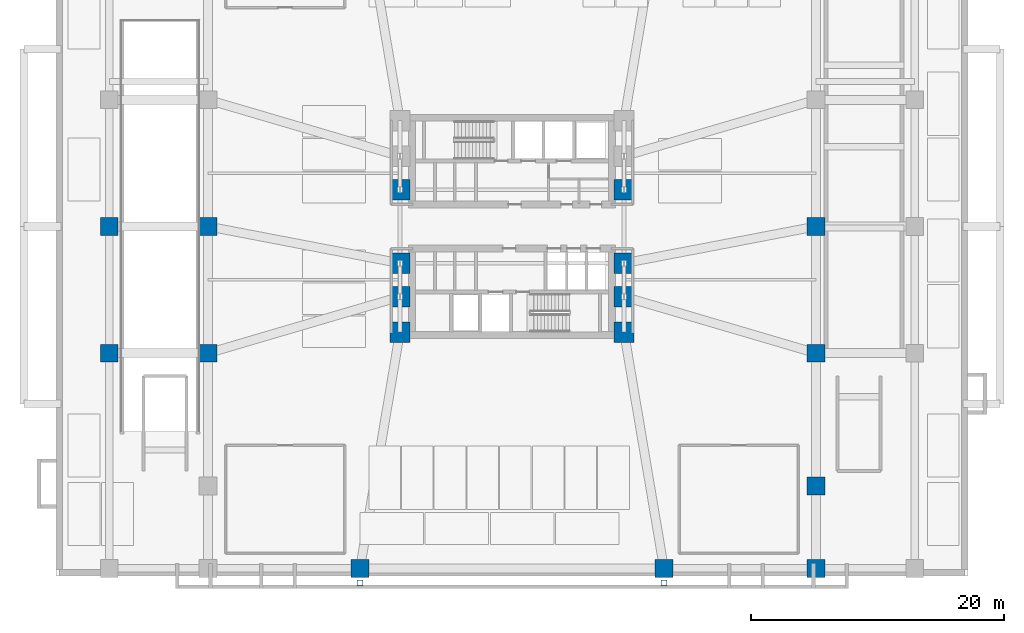
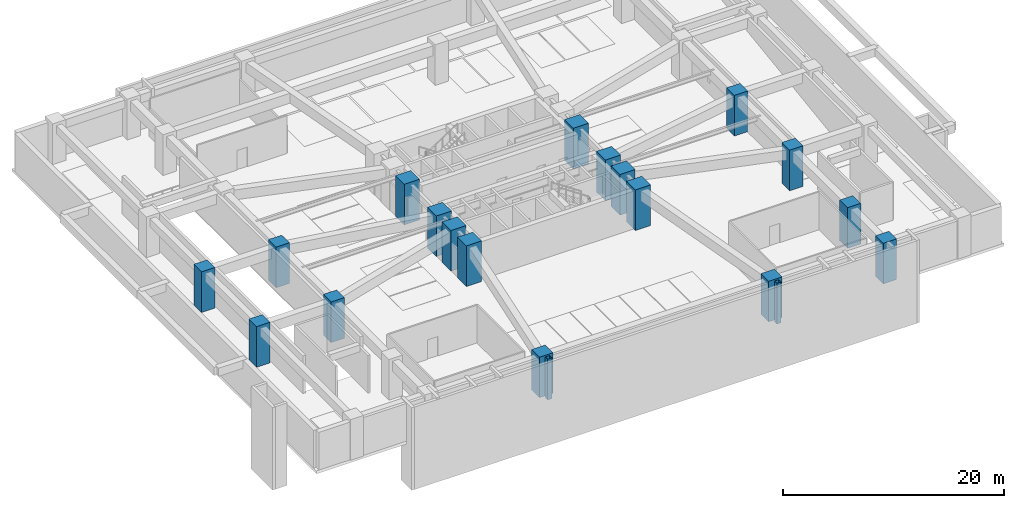
# One storey, part 2 of 13: 20 columns.
"""IFC4 building model written with IfcOpenShell, lengths in metres."""

from ifc_helpers import new_model, si_unit, direction, frame, origin, origin_2d, place, context, subcontext, project, spatial, rectangle, hollow_rectangle, extrude, material, material_profile, profile_set, type_object, element, save


model = new_model("IFC4")

# Units and contexts
model_context = context("Model", 3, precision=1e-05, world=origin(), true_north=direction((0.0, 1.0)))
body_context = subcontext(model_context, "Body", "Model", "MODEL_VIEW")
ifc_project = project(units=[si_unit("LENGTHUNIT", "METRE"), si_unit("AREAUNIT", "SQUARE_METRE"), si_unit("VOLUMEUNIT", "CUBIC_METRE"), si_unit("PLANEANGLEUNIT", "RADIAN"), si_unit("MASSUNIT", "GRAM", prefix="KILO")], contexts=[model_context])

# Site, building, storey
site_placement = place(None, origin())
site = spatial("IfcSite", under=ifc_project, at=site_placement, CompositionType="ELEMENT")
building_placement = place(site_placement, origin())
building = spatial("IfcBuilding", under=site, at=building_placement, Name="Solmarez Civic Tower", CompositionType="ELEMENT")
storey_placement = place(building_placement, frame((0.0, 0.0, -4.5)))
storey = spatial("IfcBuildingStorey", under=building, at=storey_placement, Name="B1", CompositionType="ELEMENT", Elevation=-4.5)

# Columns
ifc_material_1 = material(Name="Steel S355", Category="steel")
ifc_material_profile_1 = material_profile(ifc_material_1, hollow_rectangle(XDim=0.449951171875, YDim=0.449951171875, WallThickness=0.02197265625, at=origin_2d()), Name="HSS450X450X22")
ifc_profile_set_1 = profile_set([ifc_material_profile_1], Name="Steel S355")
column_type_1 = type_object("IfcColumnType", Name="COL-HSS450", PredefinedType="COLUMN", material=ifc_profile_set_1)
for number, where, z_axis, x_axis, name in (
    (1, (-12.0, -28.14990234375, 0.0), (0.0, 0.0, 1.0), (1.0, 0.0, 0.0), "B1 South Giant Civic Arch Pier W"),
    (2, (12.0, -28.14990234375, 0.0), (0.0, 0.0, 1.0), (1.0, 0.0, 0.0), "B1 South Giant Civic Arch Pier E"),
):
    element("IfcColumn", number, at=place(storey_placement, frame(where, z_axis=z_axis, x_axis=x_axis)), inside=storey, type_object=column_type_1, Name=name, PredefinedType="COLUMN", context=body_context, shape_type="SweptSolid", body=[
        extrude(hollow_rectangle(XDim=0.449951171875, YDim=0.449951171875, WallThickness=0.02197265625, at=origin_2d()), origin(), (0.0, 0.0, 1.0), 4.5),
    ])
ifc_material_2 = material(Name="Concrete C60/75", Category="concrete")
ifc_material_profile_2 = material_profile(ifc_material_2, rectangle(XDim=1.39990234375, YDim=1.39990234375, at=origin_2d()), Name="RC1400X1400")
ifc_profile_set_2 = profile_set([ifc_material_profile_2], Name="Concrete C60/75")
column_type_2 = type_object("IfcColumnType", Name="COL-RC1400", PredefinedType="COLUMN", material=ifc_profile_set_2)
for number, where, z_axis, x_axis, name in (
    (3, (-12.0, -27.0, 0.0), (0.0, 0.0, 1.0), (1.0, 0.0, 0.0), "B1 Structural Column PC03"),
    (4, (12.0, -27.0, 0.0), (0.0, 0.0, 1.0), (1.0, 0.0, 0.0), "B1 Structural Column PC04"),
    (5, (24.0, -27.0, 0.0), (0.0, 0.0, 1.0), (1.0, 0.0, 0.0), "B1 Structural Column PC05"),
    (6, (-31.800048828125, -10.0, 0.0), (0.0, 0.0, 1.0), (1.0, 0.0, 0.0), "B1 Structural Column PC13"),
    (7, (-31.800048828125, 0.0, 0.0), (0.0, 0.0, 1.0), (1.0, 0.0, 0.0), "B1 Structural Column PC14"),
    (8, (-24.0, -10.0, 0.0), (0.0, 0.0, 1.0), (1.0, 0.0, 0.0), "B1 Structural Column PC19"),
    (9, (-24.0, 0.0, 0.0), (0.0, 0.0, 1.0), (1.0, 0.0, 0.0), "B1 Structural Column PC20"),
    (10, (24.0, -10.0, 0.0), (0.0, 0.0, 1.0), (1.0, 0.0, 0.0), "B1 Structural Column PC22"),
    (11, (24.0, 0.0, 0.0), (0.0, 0.0, 1.0), (1.0, 0.0, 0.0), "B1 Structural Column PC23"),
    (12, (24.0, -20.5, 0.0), (0.0, 0.0, 1.0), (1.0, 0.0, 0.0), "B1 Structural Column PC28"),
):
    element("IfcColumn", number, at=place(storey_placement, frame(where, z_axis=z_axis, x_axis=x_axis)), inside=storey, type_object=column_type_2, Name=name, PredefinedType="COLUMN", context=body_context, shape_type="SweptSolid", body=[
        extrude(rectangle(XDim=1.39990234375, YDim=1.39990234375, at=origin_2d()), origin(), (0.0, 0.0, 1.0), 4.5),
    ])
ifc_material_profile_3 = material_profile(ifc_material_2, rectangle(XDim=1.60009765625, YDim=1.60009765625, at=origin_2d()), Name="RC1600X1600")
ifc_profile_set_3 = profile_set([ifc_material_profile_3], Name="Concrete C60/75")
column_type_3 = type_object("IfcColumnType", Name="COL-RC1600", PredefinedType="COLUMN", material=ifc_profile_set_3)
for number, where, z_axis, x_axis, name in (
    (13, (-8.85009765625, -5.550048828125, 0.0), (0.0, 0.0, 1.0), (1.0, 0.0, 0.0), "B1 Structural Column HC1"),
    (14, (-8.85009765625, -2.89990234375, 0.0), (0.0, 0.0, 1.0), (1.0, 0.0, 0.0), "B1 Structural Column HC2"),
    (15, (-8.85009765625, 2.89990234375, 0.0), (0.0, 0.0, 1.0), (1.0, 0.0, 0.0), "B1 Structural Column HC3"),
    (16, (8.85009765625, -5.550048828125, 0.0), (0.0, 0.0, 1.0), (1.0, 0.0, 0.0), "B1 Structural Column HC5"),
    (17, (8.85009765625, -2.89990234375, 0.0), (0.0, 0.0, 1.0), (1.0, 0.0, 0.0), "B1 Structural Column HC6"),
    (18, (8.85009765625, 2.89990234375, 0.0), (0.0, 0.0, 1.0), (1.0, 0.0, 0.0), "B1 Structural Column HC7"),
    (19, (8.85009765625, -8.35009765625, 0.0), (0.0, 0.0, 1.0), (1.0, 0.0, 0.0), "B1 Structural Column HC10"),
    (20, (-8.85009765625, -8.35009765625, 0.0), (0.0, 0.0, 1.0), (1.0, 0.0, 0.0), "B1 Structural Column HC12"),
):
    element("IfcColumn", number, at=place(storey_placement, frame(where, z_axis=z_axis, x_axis=x_axis)), inside=storey, type_object=column_type_3, Name=name, PredefinedType="COLUMN", context=body_context, shape_type="SweptSolid", body=[
        extrude(rectangle(XDim=1.60009765625, YDim=1.60009765625, at=origin_2d()), origin(), (0.0, 0.0, 1.0), 4.5),
    ])

save(model, "model.ifc")
